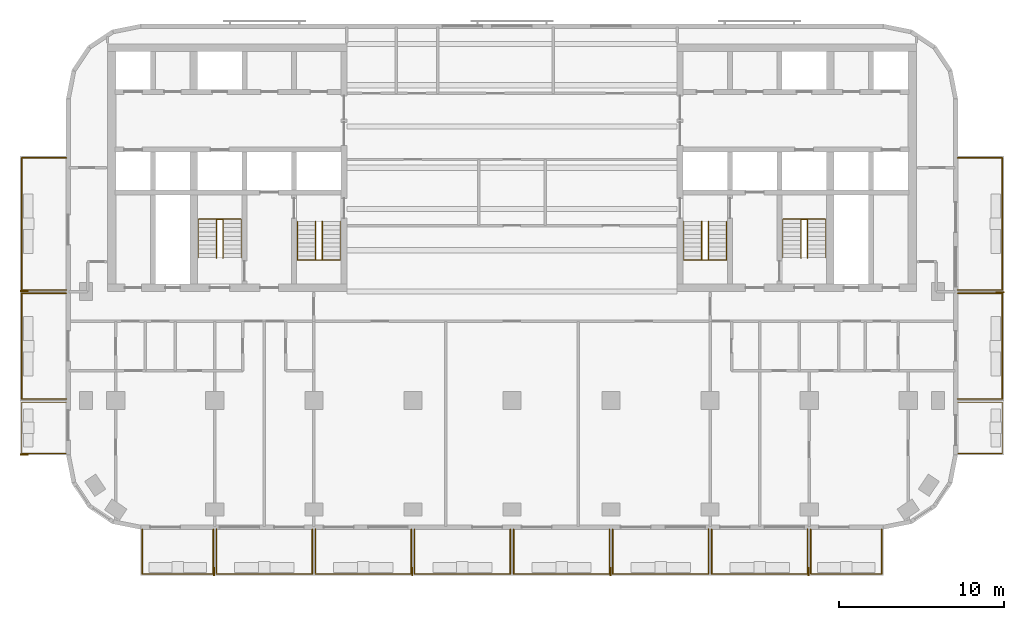
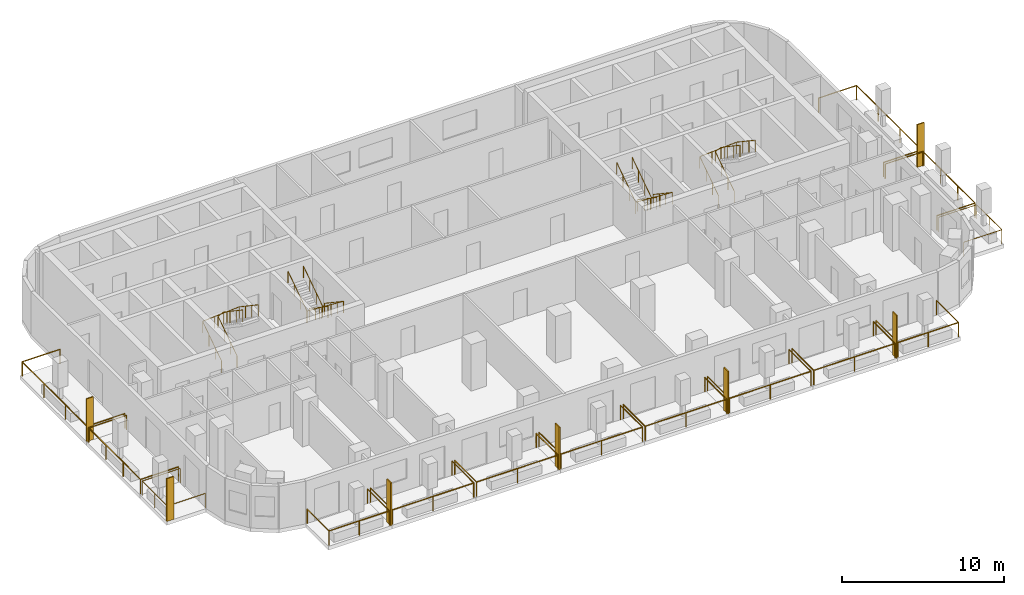
# One storey, part 9 of 11: 22 railings, 7 shading devices.
"""IFC4 building model written with IfcOpenShell, lengths in metres."""

from ifc_helpers import new_model, si_unit, direction, frame, origin, origin_2d, place, context, subcontext, project, spatial, rectangle, circle, extrude, material, layer, layer_set, type_object, element, save


model = new_model("IFC4")

# Units and contexts
model_context = context("Model", 3, precision=1e-05, world=origin(), true_north=direction((0.0, 1.0)))
body_context = subcontext(model_context, "Body", "Model", "MODEL_VIEW")
ifc_project = project(units=[si_unit("LENGTHUNIT", "METRE"), si_unit("AREAUNIT", "SQUARE_METRE"), si_unit("VOLUMEUNIT", "CUBIC_METRE"), si_unit("PLANEANGLEUNIT", "RADIAN"), si_unit("MASSUNIT", "GRAM", prefix="KILO")], contexts=[model_context])

# Site, building, storey
site_placement = place(None, origin())
site = spatial("IfcSite", under=ifc_project, at=site_placement, CompositionType="ELEMENT")
building_placement = place(site_placement, origin())
building = spatial("IfcBuilding", under=site, at=building_placement, Name="Torana Hotel and Residences", CompositionType="ELEMENT")
storey_placement = place(building_placement, frame((0.0, 0.0, 190.60009765625)))
storey = spatial("IfcBuildingStorey", under=building, at=storey_placement, Name="L49", CompositionType="ELEMENT", Elevation=190.60009765625)

# Shading devices
ifc_material_1 = material(Name="Black powder coated aluminium", Category="aluminium")
ifc_layer = layer(ifc_material_1, 0.080078125)
ifc_layer_set = layer_set([ifc_layer], Name="FN1 VERTICAL FIN 500x80")
shading_device_type = type_object("IfcShadingDeviceType", Name="FN1 VERTICAL FIN 500x80", PredefinedType="USERDEFINED", material=ifc_layer_set)
for number, where, z_axis, x_axis, name in (
    (1, (-18.0400390625, -31.949951171875, 0.0), (0.0, 0.0, 1.0), (-1.0, 0.0, 0.0), "Fin 01"),
    (2, (-6.0400390625, -31.949951171875, 0.0), (0.0, 0.0, 1.0), (-1.0, 0.0, 0.0), "Fin 03"),
    (3, (5.9599609375, -31.949951171875, 0.0), (0.0, 0.0, 1.0), (-1.0, 0.0, 0.0), "Fin 05"),
    (4, (17.9599609375, -31.949951171875, 0.0), (0.0, 0.0, 1.0), (-1.0, 0.0, 0.0), "Fin 07"),
    (5, (-29.550048828125, -24.860107421875, 0.0), (0.0, 0.0, 1.0), (0.0, 1.0, 0.0), "Fin 09"),
    (6, (-29.550048828125, -14.9599609375, 0.0), (0.0, 0.0, 1.0), (0.0, 1.0, 0.0), "Fin 11"),
    (7, (29.550048828125, -15.0400390625, 0.0), (0.0, 0.0, 1.0), (0.0, -1.0, 0.0), "Fin 13"),
):
    element("IfcShadingDevice", number, at=place(storey_placement, frame(where, z_axis=z_axis, x_axis=x_axis)), inside=storey, type_object=shading_device_type, Name=name, ObjectType="FIN", PredefinedType="USERDEFINED", context=body_context, shape_type="SweptSolid", body=[
        extrude(rectangle(XDim=0.080078125, YDim=0.5, at=origin_2d()), origin(), (0.0, 0.0, 1.0), 3.219970703125),
    ])

# Railings
ifc_material_2 = material(Name="Laminated glass balustrade with black handrail", Category="glass")
railing_type_1 = type_object("IfcRailingType", Name="GR1 BALCONY GUARD 1100 GLASS", PredefinedType="GUARDRAIL", material=ifc_material_2)
railing_1_placement = place(storey_placement, frame((-18.10009765625, -29.39990234375, 0.0)))
element("IfcRailing", 8, at=railing_1_placement, inside=storey, type_object=railing_type_1, Name="Balcony guard 01", PredefinedType="GUARDRAIL", context=body_context, shape_type="SweptSolid", body=[
    extrude(circle(Radius=0.02392578125, at=origin_2d()), frame((0.0, 0.0, 1.076171875), z_axis=(0.0, -1.0, 0.0), x_axis=(1.0, 0.0, 0.0)), (0.0, 0.0, 1.0), 2.7001953125),
    extrude(circle(Radius=0.02392578125, at=origin_2d()), frame((0.0, -2.7001953125, 1.076171875), z_axis=(-1.0, 0.0, 0.0), x_axis=(0.0, -1.0, 0.0)), (0.0, 0.0, 1.0), 4.2998046875),
    extrude(circle(Radius=0.02392578125, at=origin_2d()), frame((-4.2998046875, -2.7001953125, 1.076171875), z_axis=(0.0, 1.0, 0.0), x_axis=(-1.0, 0.0, 0.0)), (0.0, 0.0, 1.0), 2.7001953125),
    extrude(circle(Radius=0.02099609375, at=origin_2d()), origin(), (0.0, 0.0, 1.0), 1.052001953125),
    extrude(circle(Radius=0.02099609375, at=origin_2d()), frame((0.0, -2.7001953125, 0.0)), (0.0, 0.0, 1.0), 1.052001953125),
    extrude(circle(Radius=0.02099609375, at=origin_2d()), frame((-2.14990234375, -2.7001953125, 0.0)), (0.0, 0.0, 1.0), 1.052001953125),
    extrude(circle(Radius=0.02099609375, at=origin_2d()), frame((-4.2998046875, -2.7001953125, 0.0)), (0.0, 0.0, 1.0), 1.052001953125),
    extrude(circle(Radius=0.02099609375, at=origin_2d()), frame((-4.2998046875, 0.0, 0.0)), (0.0, 0.0, 1.0), 1.052001953125),
])
for number, where, name in (
    (9, (-12.10009765625, -29.39990234375, 0.0), "Balcony guard 02"),
    (10, (-6.10009765625, -29.39990234375, 0.0), "Balcony guard 03"),
    (11, (-0.10009765625, -29.39990234375, 0.0), "Balcony guard 04"),
    (12, (5.89990234375, -29.39990234375, 0.0), "Balcony guard 05"),
    (13, (11.89990234375, -29.39990234375, 0.0), "Balcony guard 06"),
    (14, (17.89990234375, -29.39990234375, 0.0), "Balcony guard 07"),
):
    element("IfcRailing", number, at=place(storey_placement, frame(where)), inside=storey, type_object=railing_type_1, Name=name, PredefinedType="GUARDRAIL", context=body_context, shape_type="SweptSolid", body=[
        extrude(circle(Radius=0.02392578125, at=origin_2d()), frame((0.0, 0.0, 1.076171875), z_axis=(0.0, -1.0, 0.0), x_axis=(1.0, 0.0, 0.0)), (0.0, 0.0, 1.0), 2.7001953125),
        extrude(circle(Radius=0.02392578125, at=origin_2d()), frame((0.0, -2.7001953125, 1.076171875), z_axis=(-1.0, 0.0, 0.0), x_axis=(0.0, -1.0, 0.0)), (0.0, 0.0, 1.0), 5.7998046875),
        extrude(circle(Radius=0.02392578125, at=origin_2d()), frame((-5.7998046875, -2.7001953125, 1.076171875), z_axis=(0.0, 1.0, 0.0), x_axis=(-1.0, 0.0, 0.0)), (0.0, 0.0, 1.0), 2.7001953125),
        extrude(circle(Radius=0.02099609375, at=origin_2d()), origin(), (0.0, 0.0, 1.0), 1.052001953125),
        extrude(circle(Radius=0.02099609375, at=origin_2d()), frame((0.0, -2.7001953125, 0.0)), (0.0, 0.0, 1.0), 1.052001953125),
        extrude(circle(Radius=0.02099609375, at=origin_2d()), frame((-2.89990234375, -2.7001953125, 0.0)), (0.0, 0.0, 1.0), 1.052001953125),
        extrude(circle(Radius=0.02099609375, at=origin_2d()), frame((-5.7998046875, -2.7001953125, 0.0)), (0.0, 0.0, 1.0), 1.052001953125),
        extrude(circle(Radius=0.02099609375, at=origin_2d()), frame((-5.7998046875, 0.0, 0.0)), (0.0, 0.0, 1.0), 1.052001953125),
    ])
railing_2_placement = place(storey_placement, frame((22.39990234375, -29.39990234375, 0.0)))
element("IfcRailing", 15, at=railing_2_placement, inside=storey, type_object=railing_type_1, Name="Balcony guard 08", PredefinedType="GUARDRAIL", context=body_context, shape_type="SweptSolid", body=[
    extrude(circle(Radius=0.02392578125, at=origin_2d()), frame((0.0, 0.0, 1.076171875), z_axis=(0.0, -1.0, 0.0), x_axis=(1.0, 0.0, 0.0)), (0.0, 0.0, 1.0), 2.7001953125),
    extrude(circle(Radius=0.02392578125, at=origin_2d()), frame((0.0, -2.7001953125, 1.076171875), z_axis=(-1.0, 0.0, 0.0), x_axis=(0.0, -1.0, 0.0)), (0.0, 0.0, 1.0), 4.2998046875),
    extrude(circle(Radius=0.02392578125, at=origin_2d()), frame((-4.2998046875, -2.7001953125, 1.076171875), z_axis=(0.0, 1.0, 0.0), x_axis=(-1.0, 0.0, 0.0)), (0.0, 0.0, 1.0), 2.7001953125),
    extrude(circle(Radius=0.02099609375, at=origin_2d()), origin(), (0.0, 0.0, 1.0), 1.052001953125),
    extrude(circle(Radius=0.02099609375, at=origin_2d()), frame((0.0, -2.7001953125, 0.0)), (0.0, 0.0, 1.0), 1.052001953125),
    extrude(circle(Radius=0.02099609375, at=origin_2d()), frame((-2.14990234375, -2.7001953125, 0.0)), (0.0, 0.0, 1.0), 1.052001953125),
    extrude(circle(Radius=0.02099609375, at=origin_2d()), frame((-4.2998046875, -2.7001953125, 0.0)), (0.0, 0.0, 1.0), 1.052001953125),
    extrude(circle(Radius=0.02099609375, at=origin_2d()), frame((-4.2998046875, 0.0, 0.0)), (0.0, 0.0, 1.0), 1.052001953125),
])
railing_3_placement = place(storey_placement, frame((-27.0, -24.800048828125, 0.0)))
element("IfcRailing", 16, at=railing_3_placement, inside=storey, type_object=railing_type_1, Name="Balcony guard 09", PredefinedType="GUARDRAIL", context=body_context, shape_type="SweptSolid", body=[
    extrude(circle(Radius=0.02392578125, at=origin_2d()), frame((0.0, 0.0, 1.076171875), z_axis=(-1.0, 0.0, 0.0), x_axis=(0.0, -1.0, 0.0)), (0.0, 0.0, 1.0), 2.699951171875),
    extrude(circle(Radius=0.02392578125, at=origin_2d()), frame((-2.699951171875, 0.0, 1.076171875), z_axis=(0.0, 1.0, 0.0), x_axis=(-1.0, 0.0, 0.0)), (0.0, 0.0, 1.0), 3.10009765625),
    extrude(circle(Radius=0.02392578125, at=origin_2d()), frame((-2.699951171875, 3.10009765625, 1.076171875), z_axis=(1.0, 0.0, 0.0), x_axis=(0.0, 1.0, 0.0)), (0.0, 0.0, 1.0), 2.699951171875),
    extrude(circle(Radius=0.02099609375, at=origin_2d()), origin(), (0.0, 0.0, 1.0), 1.052001953125),
    extrude(circle(Radius=0.02099609375, at=origin_2d()), frame((-2.699951171875, 0.0, 0.0)), (0.0, 0.0, 1.0), 1.052001953125),
    extrude(circle(Radius=0.02099609375, at=origin_2d()), frame((-2.699951171875, 1.550048828125, 0.0)), (0.0, 0.0, 1.0), 1.052001953125),
    extrude(circle(Radius=0.02099609375, at=origin_2d()), frame((-2.699951171875, 3.10009765625, 0.0)), (0.0, 0.0, 1.0), 1.052001953125),
    extrude(circle(Radius=0.02099609375, at=origin_2d()), frame((0.0, 3.10009765625, 0.0)), (0.0, 0.0, 1.0), 1.052001953125),
])
railing_4_placement = place(storey_placement, frame((-27.0, -21.5, 0.0)))
element("IfcRailing", 17, at=railing_4_placement, inside=storey, type_object=railing_type_1, Name="Balcony guard 10", PredefinedType="GUARDRAIL", context=body_context, shape_type="SweptSolid", body=[
    extrude(circle(Radius=0.02392578125, at=origin_2d()), frame((0.0, 0.0, 1.076171875), z_axis=(-1.0, 0.0, 0.0), x_axis=(0.0, -1.0, 0.0)), (0.0, 0.0, 1.0), 2.699951171875),
    extrude(circle(Radius=0.02392578125, at=origin_2d()), frame((-2.699951171875, 0.0, 1.076171875), z_axis=(0.0, 1.0, 0.0), x_axis=(-1.0, 0.0, 0.0)), (0.0, 0.0, 1.0), 6.39990234375),
    extrude(circle(Radius=0.02392578125, at=origin_2d()), frame((-2.699951171875, 6.39990234375, 1.076171875), z_axis=(1.0, 0.0, 0.0), x_axis=(0.0, 1.0, 0.0)), (0.0, 0.0, 1.0), 2.699951171875),
    extrude(circle(Radius=0.02099609375, at=origin_2d()), origin(), (0.0, 0.0, 1.0), 1.052001953125),
    extrude(circle(Radius=0.02099609375, at=origin_2d()), frame((-2.699951171875, 0.0, 0.0)), (0.0, 0.0, 1.0), 1.052001953125),
    extrude(circle(Radius=0.02099609375, at=origin_2d()), frame((-2.699951171875, 2.13330078125, 0.0)), (0.0, 0.0, 1.0), 1.052001953125),
    extrude(circle(Radius=0.02099609375, at=origin_2d()), frame((-2.699951171875, 4.2666015625, 0.0)), (0.0, 0.0, 1.0), 1.052001953125),
    extrude(circle(Radius=0.02099609375, at=origin_2d()), frame((-2.699951171875, 6.39990234375, 0.0)), (0.0, 0.0, 1.0), 1.052001953125),
    extrude(circle(Radius=0.02099609375, at=origin_2d()), frame((0.0, 6.39990234375, 0.0)), (0.0, 0.0, 1.0), 1.052001953125),
])
railing_5_placement = place(storey_placement, frame((-27.0, -14.89990234375, 0.0)))
element("IfcRailing", 18, at=railing_5_placement, inside=storey, type_object=railing_type_1, Name="Balcony guard 11", PredefinedType="GUARDRAIL", context=body_context, shape_type="SweptSolid", body=[
    extrude(circle(Radius=0.02392578125, at=origin_2d()), frame((0.0, 0.0, 1.076171875), z_axis=(-1.0, 0.0, 0.0), x_axis=(0.0, -1.0, 0.0)), (0.0, 0.0, 1.0), 2.699951171875),
    extrude(circle(Radius=0.02392578125, at=origin_2d()), frame((-2.699951171875, 0.0, 1.076171875), z_axis=(0.0, 1.0, 0.0), x_axis=(-1.0, 0.0, 0.0)), (0.0, 0.0, 1.0), 8.0),
    extrude(circle(Radius=0.02392578125, at=origin_2d()), frame((-2.699951171875, 8.0, 1.076171875), z_axis=(1.0, 0.0, 0.0), x_axis=(0.0, 1.0, 0.0)), (0.0, 0.0, 1.0), 2.699951171875),
    extrude(circle(Radius=0.02099609375, at=origin_2d()), origin(), (0.0, 0.0, 1.0), 1.052001953125),
    extrude(circle(Radius=0.02099609375, at=origin_2d()), frame((-2.699951171875, 0.0, 0.0)), (0.0, 0.0, 1.0), 1.052001953125),
    extrude(circle(Radius=0.02099609375, at=origin_2d()), frame((-2.699951171875, 2.666748046875, 0.0)), (0.0, 0.0, 1.0), 1.052001953125),
    extrude(circle(Radius=0.02099609375, at=origin_2d()), frame((-2.699951171875, 5.333251953125, 0.0)), (0.0, 0.0, 1.0), 1.052001953125),
    extrude(circle(Radius=0.02099609375, at=origin_2d()), frame((-2.699951171875, 8.0, 0.0)), (0.0, 0.0, 1.0), 1.052001953125),
    extrude(circle(Radius=0.02099609375, at=origin_2d()), frame((0.0, 8.0, 0.0)), (0.0, 0.0, 1.0), 1.052001953125),
])
railing_6_placement = place(storey_placement, frame((27.0, -21.699951171875, 0.0)))
element("IfcRailing", 19, at=railing_6_placement, inside=storey, type_object=railing_type_1, Name="Balcony guard 12", PredefinedType="GUARDRAIL", context=body_context, shape_type="SweptSolid", body=[
    extrude(circle(Radius=0.02392578125, at=origin_2d()), frame((0.0, 0.0, 1.076171875), z_axis=(1.0, 0.0, 0.0), x_axis=(0.0, 1.0, 0.0)), (0.0, 0.0, 1.0), 2.699951171875),
    extrude(circle(Radius=0.02392578125, at=origin_2d()), frame((2.699951171875, 0.0, 1.076171875), z_axis=(0.0, -1.0, 0.0), x_axis=(1.0, 0.0, 0.0)), (0.0, 0.0, 1.0), 3.10009765625),
    extrude(circle(Radius=0.02392578125, at=origin_2d()), frame((2.699951171875, -3.10009765625, 1.076171875), z_axis=(-1.0, 0.0, 0.0), x_axis=(0.0, -1.0, 0.0)), (0.0, 0.0, 1.0), 2.699951171875),
    extrude(circle(Radius=0.02099609375, at=origin_2d()), origin(), (0.0, 0.0, 1.0), 1.052001953125),
    extrude(circle(Radius=0.02099609375, at=origin_2d()), frame((2.699951171875, 0.0, 0.0)), (0.0, 0.0, 1.0), 1.052001953125),
    extrude(circle(Radius=0.02099609375, at=origin_2d()), frame((2.699951171875, -1.550048828125, 0.0)), (0.0, 0.0, 1.0), 1.052001953125),
    extrude(circle(Radius=0.02099609375, at=origin_2d()), frame((2.699951171875, -3.10009765625, 0.0)), (0.0, 0.0, 1.0), 1.052001953125),
    extrude(circle(Radius=0.02099609375, at=origin_2d()), frame((0.0, -3.10009765625, 0.0)), (0.0, 0.0, 1.0), 1.052001953125),
])
railing_7_placement = place(storey_placement, frame((27.0, -15.10009765625, 0.0)))
element("IfcRailing", 20, at=railing_7_placement, inside=storey, type_object=railing_type_1, Name="Balcony guard 13", PredefinedType="GUARDRAIL", context=body_context, shape_type="SweptSolid", body=[
    extrude(circle(Radius=0.02392578125, at=origin_2d()), frame((0.0, 0.0, 1.076171875), z_axis=(1.0, 0.0, 0.0), x_axis=(0.0, 1.0, 0.0)), (0.0, 0.0, 1.0), 2.699951171875),
    extrude(circle(Radius=0.02392578125, at=origin_2d()), frame((2.699951171875, 0.0, 1.076171875), z_axis=(0.0, -1.0, 0.0), x_axis=(1.0, 0.0, 0.0)), (0.0, 0.0, 1.0), 6.39990234375),
    extrude(circle(Radius=0.02392578125, at=origin_2d()), frame((2.699951171875, -6.39990234375, 1.076171875), z_axis=(-1.0, 0.0, 0.0), x_axis=(0.0, -1.0, 0.0)), (0.0, 0.0, 1.0), 2.699951171875),
    extrude(circle(Radius=0.02099609375, at=origin_2d()), origin(), (0.0, 0.0, 1.0), 1.052001953125),
    extrude(circle(Radius=0.02099609375, at=origin_2d()), frame((2.699951171875, 0.0, 0.0)), (0.0, 0.0, 1.0), 1.052001953125),
    extrude(circle(Radius=0.02099609375, at=origin_2d()), frame((2.699951171875, -2.13330078125, 0.0)), (0.0, 0.0, 1.0), 1.052001953125),
    extrude(circle(Radius=0.02099609375, at=origin_2d()), frame((2.699951171875, -4.2666015625, 0.0)), (0.0, 0.0, 1.0), 1.052001953125),
    extrude(circle(Radius=0.02099609375, at=origin_2d()), frame((2.699951171875, -6.39990234375, 0.0)), (0.0, 0.0, 1.0), 1.052001953125),
    extrude(circle(Radius=0.02099609375, at=origin_2d()), frame((0.0, -6.39990234375, 0.0)), (0.0, 0.0, 1.0), 1.052001953125),
])
railing_8_placement = place(storey_placement, frame((27.0, -6.89990234375, 0.0)))
element("IfcRailing", 21, at=railing_8_placement, inside=storey, type_object=railing_type_1, Name="Balcony guard 14", PredefinedType="GUARDRAIL", context=body_context, shape_type="SweptSolid", body=[
    extrude(circle(Radius=0.02392578125, at=origin_2d()), frame((0.0, 0.0, 1.076171875), z_axis=(1.0, 0.0, 0.0), x_axis=(0.0, 1.0, 0.0)), (0.0, 0.0, 1.0), 2.699951171875),
    extrude(circle(Radius=0.02392578125, at=origin_2d()), frame((2.699951171875, 0.0, 1.076171875), z_axis=(0.0, -1.0, 0.0), x_axis=(1.0, 0.0, 0.0)), (0.0, 0.0, 1.0), 8.0),
    extrude(circle(Radius=0.02392578125, at=origin_2d()), frame((2.699951171875, -8.0, 1.076171875), z_axis=(-1.0, 0.0, 0.0), x_axis=(0.0, -1.0, 0.0)), (0.0, 0.0, 1.0), 2.699951171875),
    extrude(circle(Radius=0.02099609375, at=origin_2d()), origin(), (0.0, 0.0, 1.0), 1.052001953125),
    extrude(circle(Radius=0.02099609375, at=origin_2d()), frame((2.699951171875, 0.0, 0.0)), (0.0, 0.0, 1.0), 1.052001953125),
    extrude(circle(Radius=0.02099609375, at=origin_2d()), frame((2.699951171875, -2.666748046875, 0.0)), (0.0, 0.0, 1.0), 1.052001953125),
    extrude(circle(Radius=0.02099609375, at=origin_2d()), frame((2.699951171875, -5.333251953125, 0.0)), (0.0, 0.0, 1.0), 1.052001953125),
    extrude(circle(Radius=0.02099609375, at=origin_2d()), frame((2.699951171875, -8.0, 0.0)), (0.0, 0.0, 1.0), 1.052001953125),
    extrude(circle(Radius=0.02099609375, at=origin_2d()), frame((0.0, -8.0, 0.0)), (0.0, 0.0, 1.0), 1.052001953125),
])
ifc_material_3 = material(Name="Stainless steel 316", Category="steel")
railing_type_2 = type_object("IfcRailingType", Name="STAIR HANDRAIL HR1 900", PredefinedType="HANDRAIL", material=ifc_material_3)
railing_9_placement = place(storey_placement, frame((-10.39990234375, -10.75, 0.1748046875)))
element("IfcRailing", 22, at=railing_9_placement, inside=storey, type_object=railing_type_2, Name="Handrail ST1 L49 O1", PredefinedType="HANDRAIL", context=body_context, shape_type="SweptSolid", body=[
    extrude(circle(Radius=0.02392578125, at=origin_2d()), frame((0.0, 0.0, 0.8759765625), z_axis=(0.0, -0.829565388462, 0.558409586474), x_axis=(1.0, 0.0, 0.0)), (0.0, 0.0, 1.0), 2.82080078125),
    extrude(circle(Radius=0.02392578125, at=origin_2d()), frame((0.0, -2.340087890625, 2.451171875), z_axis=(-0.997747692642, 0.0, 0.067078624219), x_axis=(0.0, -1.0, 0.0)), (0.0, 0.0, 1.0), 2.60595703125),
    extrude(circle(Radius=0.02392578125, at=origin_2d()), frame((-2.60009765625, -2.340087890625, 2.6259765625), z_axis=(0.0, 0.829565388462, 0.558409586474), x_axis=(-1.0, 0.0, 0.0)), (0.0, 0.0, 1.0), 2.82080078125),
    extrude(circle(Radius=0.02099609375, at=origin_2d()), origin(), (0.0, 0.0, 1.0), 0.851806640625),
    extrude(circle(Radius=0.02099609375, at=origin_2d()), frame((0.0, -0.780029296875, 0.525146484375)), (0.0, 0.0, 1.0), 0.851806640625),
    extrude(circle(Radius=0.02099609375, at=origin_2d()), frame((0.0, -1.56005859375, 1.050048828125)), (0.0, 0.0, 1.0), 0.851806640625),
    extrude(circle(Radius=0.02099609375, at=origin_2d()), frame((0.0, -2.340087890625, 1.5751953125)), (0.0, 0.0, 1.0), 0.851806640625),
    extrude(circle(Radius=0.02099609375, at=origin_2d()), frame((-0.86669921875, -2.340087890625, 1.633544921875)), (0.0, 0.0, 1.0), 0.851806640625),
    extrude(circle(Radius=0.02099609375, at=origin_2d()), frame((-1.7333984375, -2.340087890625, 1.691650390625)), (0.0, 0.0, 1.0), 0.851806640625),
    extrude(circle(Radius=0.02099609375, at=origin_2d()), frame((-2.60009765625, -2.340087890625, 1.75)), (0.0, 0.0, 1.0), 0.851806640625),
    extrude(circle(Radius=0.02099609375, at=origin_2d()), frame((-2.60009765625, -1.56005859375, 2.275146484375)), (0.0, 0.0, 1.0), 0.851806640625),
    extrude(circle(Radius=0.02099609375, at=origin_2d()), frame((-2.60009765625, -0.780029296875, 2.800048828125)), (0.0, 0.0, 1.0), 0.851806640625),
    extrude(circle(Radius=0.02099609375, at=origin_2d()), frame((-2.60009765625, 0.0, 3.3251953125)), (0.0, 0.0, 1.0), 0.851806640625),
])
railing_10_placement = place(storey_placement, frame((-11.5, -10.75, 0.1748046875)))
element("IfcRailing", 23, at=railing_10_placement, inside=storey, type_object=railing_type_2, Name="Handrail ST1 L49 I1", PredefinedType="HANDRAIL", context=body_context, shape_type="SweptSolid", body=[
    extrude(circle(Radius=0.02392578125, at=origin_2d()), frame((0.0, 0.0, 0.8759765625), z_axis=(0.0, -0.829565388462, 0.558409586474), x_axis=(1.0, 0.0, 0.0)), (0.0, 0.0, 1.0), 2.82080078125),
    extrude(circle(Radius=0.02392578125, at=origin_2d()), frame((0.0, -2.340087890625, 2.451171875), z_axis=(-0.916285673175, 0.0, 0.400525361412), x_axis=(0.0, -1.0, 0.0)), (0.0, 0.0, 1.0), 0.4365234375),
    extrude(circle(Radius=0.02392578125, at=origin_2d()), frame((-0.39990234375, -2.340087890625, 2.6259765625), z_axis=(0.0, 0.829565388462, 0.558409586474), x_axis=(-1.0, 0.0, 0.0)), (0.0, 0.0, 1.0), 2.82080078125),
    extrude(circle(Radius=0.02099609375, at=origin_2d()), origin(), (0.0, 0.0, 1.0), 0.851806640625),
    extrude(circle(Radius=0.02099609375, at=origin_2d()), frame((0.0, -0.780029296875, 0.525146484375)), (0.0, 0.0, 1.0), 0.851806640625),
    extrude(circle(Radius=0.02099609375, at=origin_2d()), frame((0.0, -1.56005859375, 1.050048828125)), (0.0, 0.0, 1.0), 0.851806640625),
    extrude(circle(Radius=0.02099609375, at=origin_2d()), frame((0.0, -2.340087890625, 1.5751953125)), (0.0, 0.0, 1.0), 0.851806640625),
    extrude(circle(Radius=0.02099609375, at=origin_2d()), frame((-0.39990234375, -2.340087890625, 1.75)), (0.0, 0.0, 1.0), 0.851806640625),
    extrude(circle(Radius=0.02099609375, at=origin_2d()), frame((-0.39990234375, -1.56005859375, 2.275146484375)), (0.0, 0.0, 1.0), 0.851806640625),
    extrude(circle(Radius=0.02099609375, at=origin_2d()), frame((-0.39990234375, -0.780029296875, 2.800048828125)), (0.0, 0.0, 1.0), 0.851806640625),
    extrude(circle(Radius=0.02099609375, at=origin_2d()), frame((-0.39990234375, 0.0, 3.3251953125)), (0.0, 0.0, 1.0), 0.851806640625),
])
railing_11_placement = place(storey_placement, frame((-19.0, -12.949951171875, 0.1748046875)))
element("IfcRailing", 24, at=railing_11_placement, inside=storey, type_object=railing_type_2, Name="Handrail ST2 L49 O1", PredefinedType="HANDRAIL", context=body_context, shape_type="SweptSolid", body=[
    extrude(circle(Radius=0.02392578125, at=origin_2d()), frame((0.0, 0.0, 0.8759765625), z_axis=(0.0, 0.829538397957, 0.558449681095), x_axis=(-1.0, 0.0, 0.0)), (0.0, 0.0, 1.0), 2.820556640625),
    extrude(circle(Radius=0.02392578125, at=origin_2d()), frame((0.0, 2.33984375, 2.451171875), z_axis=(0.997747692642, 0.0, 0.067078624219), x_axis=(0.0, 1.0, 0.0)), (0.0, 0.0, 1.0), 2.60595703125),
    extrude(circle(Radius=0.02392578125, at=origin_2d()), frame((2.60009765625, 2.33984375, 2.6259765625), z_axis=(0.0, -0.829538397957, 0.558449681095), x_axis=(1.0, 0.0, 0.0)), (0.0, 0.0, 1.0), 2.820556640625),
    extrude(circle(Radius=0.02099609375, at=origin_2d()), origin(), (0.0, 0.0, 1.0), 0.851806640625),
    extrude(circle(Radius=0.02099609375, at=origin_2d()), frame((0.0, 0.780029296875, 0.525146484375)), (0.0, 0.0, 1.0), 0.851806640625),
    extrude(circle(Radius=0.02099609375, at=origin_2d()), frame((0.0, 1.559814453125, 1.050048828125)), (0.0, 0.0, 1.0), 0.851806640625),
    extrude(circle(Radius=0.02099609375, at=origin_2d()), frame((0.0, 2.33984375, 1.5751953125)), (0.0, 0.0, 1.0), 0.851806640625),
    extrude(circle(Radius=0.02099609375, at=origin_2d()), frame((0.86669921875, 2.33984375, 1.633544921875)), (0.0, 0.0, 1.0), 0.851806640625),
    extrude(circle(Radius=0.02099609375, at=origin_2d()), frame((1.7333984375, 2.33984375, 1.691650390625)), (0.0, 0.0, 1.0), 0.851806640625),
    extrude(circle(Radius=0.02099609375, at=origin_2d()), frame((2.60009765625, 2.33984375, 1.75)), (0.0, 0.0, 1.0), 0.851806640625),
    extrude(circle(Radius=0.02099609375, at=origin_2d()), frame((2.60009765625, 1.559814453125, 2.275146484375)), (0.0, 0.0, 1.0), 0.851806640625),
    extrude(circle(Radius=0.02099609375, at=origin_2d()), frame((2.60009765625, 0.780029296875, 2.800048828125)), (0.0, 0.0, 1.0), 0.851806640625),
    extrude(circle(Radius=0.02099609375, at=origin_2d()), frame((2.60009765625, 0.0, 3.3251953125)), (0.0, 0.0, 1.0), 0.851806640625),
])
railing_12_placement = place(storey_placement, frame((-17.89990234375, -12.949951171875, 0.1748046875)))
element("IfcRailing", 25, at=railing_12_placement, inside=storey, type_object=railing_type_2, Name="Handrail ST2 L49 I1", PredefinedType="HANDRAIL", context=body_context, shape_type="SweptSolid", body=[
    extrude(circle(Radius=0.02392578125, at=origin_2d()), frame((0.0, 0.0, 0.8759765625), z_axis=(0.0, 0.829538397957, 0.558449681095), x_axis=(-1.0, 0.0, 0.0)), (0.0, 0.0, 1.0), 2.820556640625),
    extrude(circle(Radius=0.02392578125, at=origin_2d()), frame((0.0, 2.33984375, 2.451171875), z_axis=(0.916285673175, 0.0, 0.400525361412), x_axis=(0.0, 1.0, 0.0)), (0.0, 0.0, 1.0), 0.4365234375),
    extrude(circle(Radius=0.02392578125, at=origin_2d()), frame((0.39990234375, 2.33984375, 2.6259765625), z_axis=(0.0, -0.829538397957, 0.558449681095), x_axis=(1.0, 0.0, 0.0)), (0.0, 0.0, 1.0), 2.820556640625),
    extrude(circle(Radius=0.02099609375, at=origin_2d()), origin(), (0.0, 0.0, 1.0), 0.851806640625),
    extrude(circle(Radius=0.02099609375, at=origin_2d()), frame((0.0, 0.780029296875, 0.525146484375)), (0.0, 0.0, 1.0), 0.851806640625),
    extrude(circle(Radius=0.02099609375, at=origin_2d()), frame((0.0, 1.559814453125, 1.050048828125)), (0.0, 0.0, 1.0), 0.851806640625),
    extrude(circle(Radius=0.02099609375, at=origin_2d()), frame((0.0, 2.33984375, 1.5751953125)), (0.0, 0.0, 1.0), 0.851806640625),
    extrude(circle(Radius=0.02099609375, at=origin_2d()), frame((0.39990234375, 2.33984375, 1.75)), (0.0, 0.0, 1.0), 0.851806640625),
    extrude(circle(Radius=0.02099609375, at=origin_2d()), frame((0.39990234375, 1.559814453125, 2.275146484375)), (0.0, 0.0, 1.0), 0.851806640625),
    extrude(circle(Radius=0.02099609375, at=origin_2d()), frame((0.39990234375, 0.780029296875, 2.800048828125)), (0.0, 0.0, 1.0), 0.851806640625),
    extrude(circle(Radius=0.02099609375, at=origin_2d()), frame((0.39990234375, 0.0, 3.3251953125)), (0.0, 0.0, 1.0), 0.851806640625),
])
railing_13_placement = place(storey_placement, frame((13.0, -10.75, 0.1748046875)))
element("IfcRailing", 26, at=railing_13_placement, inside=storey, type_object=railing_type_2, Name="Handrail ST3 L49 O1", PredefinedType="HANDRAIL", context=body_context, shape_type="SweptSolid", body=[
    extrude(circle(Radius=0.02392578125, at=origin_2d()), frame((0.0, 0.0, 0.8759765625), z_axis=(0.0, -0.829565388462, 0.558409586474), x_axis=(1.0, 0.0, 0.0)), (0.0, 0.0, 1.0), 2.82080078125),
    extrude(circle(Radius=0.02392578125, at=origin_2d()), frame((0.0, -2.340087890625, 2.451171875), z_axis=(-0.997747692642, 0.0, 0.067078624219), x_axis=(0.0, -1.0, 0.0)), (0.0, 0.0, 1.0), 2.60595703125),
    extrude(circle(Radius=0.02392578125, at=origin_2d()), frame((-2.60009765625, -2.340087890625, 2.6259765625), z_axis=(0.0, 0.829565388462, 0.558409586474), x_axis=(-1.0, 0.0, 0.0)), (0.0, 0.0, 1.0), 2.82080078125),
    extrude(circle(Radius=0.02099609375, at=origin_2d()), origin(), (0.0, 0.0, 1.0), 0.851806640625),
    extrude(circle(Radius=0.02099609375, at=origin_2d()), frame((0.0, -0.780029296875, 0.525146484375)), (0.0, 0.0, 1.0), 0.851806640625),
    extrude(circle(Radius=0.02099609375, at=origin_2d()), frame((0.0, -1.56005859375, 1.050048828125)), (0.0, 0.0, 1.0), 0.851806640625),
    extrude(circle(Radius=0.02099609375, at=origin_2d()), frame((0.0, -2.340087890625, 1.5751953125)), (0.0, 0.0, 1.0), 0.851806640625),
    extrude(circle(Radius=0.02099609375, at=origin_2d()), frame((-0.86669921875, -2.340087890625, 1.633544921875)), (0.0, 0.0, 1.0), 0.851806640625),
    extrude(circle(Radius=0.02099609375, at=origin_2d()), frame((-1.7333984375, -2.340087890625, 1.691650390625)), (0.0, 0.0, 1.0), 0.851806640625),
    extrude(circle(Radius=0.02099609375, at=origin_2d()), frame((-2.60009765625, -2.340087890625, 1.75)), (0.0, 0.0, 1.0), 0.851806640625),
    extrude(circle(Radius=0.02099609375, at=origin_2d()), frame((-2.60009765625, -1.56005859375, 2.275146484375)), (0.0, 0.0, 1.0), 0.851806640625),
    extrude(circle(Radius=0.02099609375, at=origin_2d()), frame((-2.60009765625, -0.780029296875, 2.800048828125)), (0.0, 0.0, 1.0), 0.851806640625),
    extrude(circle(Radius=0.02099609375, at=origin_2d()), frame((-2.60009765625, 0.0, 3.3251953125)), (0.0, 0.0, 1.0), 0.851806640625),
])
railing_14_placement = place(storey_placement, frame((11.89990234375, -10.75, 0.1748046875)))
element("IfcRailing", 27, at=railing_14_placement, inside=storey, type_object=railing_type_2, Name="Handrail ST3 L49 I1", PredefinedType="HANDRAIL", context=body_context, shape_type="SweptSolid", body=[
    extrude(circle(Radius=0.02392578125, at=origin_2d()), frame((0.0, 0.0, 0.8759765625), z_axis=(0.0, -0.829565388462, 0.558409586474), x_axis=(1.0, 0.0, 0.0)), (0.0, 0.0, 1.0), 2.82080078125),
    extrude(circle(Radius=0.02392578125, at=origin_2d()), frame((0.0, -2.340087890625, 2.451171875), z_axis=(-0.916285673175, 0.0, 0.400525361412), x_axis=(0.0, -1.0, 0.0)), (0.0, 0.0, 1.0), 0.4365234375),
    extrude(circle(Radius=0.02392578125, at=origin_2d()), frame((-0.39990234375, -2.340087890625, 2.6259765625), z_axis=(0.0, 0.829565388462, 0.558409586474), x_axis=(-1.0, 0.0, 0.0)), (0.0, 0.0, 1.0), 2.82080078125),
    extrude(circle(Radius=0.02099609375, at=origin_2d()), origin(), (0.0, 0.0, 1.0), 0.851806640625),
    extrude(circle(Radius=0.02099609375, at=origin_2d()), frame((0.0, -0.780029296875, 0.525146484375)), (0.0, 0.0, 1.0), 0.851806640625),
    extrude(circle(Radius=0.02099609375, at=origin_2d()), frame((0.0, -1.56005859375, 1.050048828125)), (0.0, 0.0, 1.0), 0.851806640625),
    extrude(circle(Radius=0.02099609375, at=origin_2d()), frame((0.0, -2.340087890625, 1.5751953125)), (0.0, 0.0, 1.0), 0.851806640625),
    extrude(circle(Radius=0.02099609375, at=origin_2d()), frame((-0.39990234375, -2.340087890625, 1.75)), (0.0, 0.0, 1.0), 0.851806640625),
    extrude(circle(Radius=0.02099609375, at=origin_2d()), frame((-0.39990234375, -1.56005859375, 2.275146484375)), (0.0, 0.0, 1.0), 0.851806640625),
    extrude(circle(Radius=0.02099609375, at=origin_2d()), frame((-0.39990234375, -0.780029296875, 2.800048828125)), (0.0, 0.0, 1.0), 0.851806640625),
    extrude(circle(Radius=0.02099609375, at=origin_2d()), frame((-0.39990234375, 0.0, 3.3251953125)), (0.0, 0.0, 1.0), 0.851806640625),
])
railing_15_placement = place(storey_placement, frame((16.39990234375, -12.949951171875, 0.1748046875)))
element("IfcRailing", 28, at=railing_15_placement, inside=storey, type_object=railing_type_2, Name="Handrail ST4 L49 O1", PredefinedType="HANDRAIL", context=body_context, shape_type="SweptSolid", body=[
    extrude(circle(Radius=0.02392578125, at=origin_2d()), frame((0.0, 0.0, 0.8759765625), z_axis=(0.0, 0.829538397957, 0.558449681095), x_axis=(-1.0, 0.0, 0.0)), (0.0, 0.0, 1.0), 2.820556640625),
    extrude(circle(Radius=0.02392578125, at=origin_2d()), frame((0.0, 2.33984375, 2.451171875), z_axis=(0.997747692642, 0.0, 0.067078624219), x_axis=(0.0, 1.0, 0.0)), (0.0, 0.0, 1.0), 2.60595703125),
    extrude(circle(Radius=0.02392578125, at=origin_2d()), frame((2.60009765625, 2.33984375, 2.6259765625), z_axis=(0.0, -0.829538397957, 0.558449681095), x_axis=(1.0, 0.0, 0.0)), (0.0, 0.0, 1.0), 2.820556640625),
    extrude(circle(Radius=0.02099609375, at=origin_2d()), origin(), (0.0, 0.0, 1.0), 0.851806640625),
    extrude(circle(Radius=0.02099609375, at=origin_2d()), frame((0.0, 0.780029296875, 0.525146484375)), (0.0, 0.0, 1.0), 0.851806640625),
    extrude(circle(Radius=0.02099609375, at=origin_2d()), frame((0.0, 1.559814453125, 1.050048828125)), (0.0, 0.0, 1.0), 0.851806640625),
    extrude(circle(Radius=0.02099609375, at=origin_2d()), frame((0.0, 2.33984375, 1.5751953125)), (0.0, 0.0, 1.0), 0.851806640625),
    extrude(circle(Radius=0.02099609375, at=origin_2d()), frame((0.86669921875, 2.33984375, 1.633544921875)), (0.0, 0.0, 1.0), 0.851806640625),
    extrude(circle(Radius=0.02099609375, at=origin_2d()), frame((1.7333984375, 2.33984375, 1.691650390625)), (0.0, 0.0, 1.0), 0.851806640625),
    extrude(circle(Radius=0.02099609375, at=origin_2d()), frame((2.60009765625, 2.33984375, 1.75)), (0.0, 0.0, 1.0), 0.851806640625),
    extrude(circle(Radius=0.02099609375, at=origin_2d()), frame((2.60009765625, 1.559814453125, 2.275146484375)), (0.0, 0.0, 1.0), 0.851806640625),
    extrude(circle(Radius=0.02099609375, at=origin_2d()), frame((2.60009765625, 0.780029296875, 2.800048828125)), (0.0, 0.0, 1.0), 0.851806640625),
    extrude(circle(Radius=0.02099609375, at=origin_2d()), frame((2.60009765625, 0.0, 3.3251953125)), (0.0, 0.0, 1.0), 0.851806640625),
])
railing_16_placement = place(storey_placement, frame((17.5, -12.949951171875, 0.1748046875)))
element("IfcRailing", 29, at=railing_16_placement, inside=storey, type_object=railing_type_2, Name="Handrail ST4 L49 I1", PredefinedType="HANDRAIL", context=body_context, shape_type="SweptSolid", body=[
    extrude(circle(Radius=0.02392578125, at=origin_2d()), frame((0.0, 0.0, 0.8759765625), z_axis=(0.0, 0.829538397957, 0.558449681095), x_axis=(-1.0, 0.0, 0.0)), (0.0, 0.0, 1.0), 2.820556640625),
    extrude(circle(Radius=0.02392578125, at=origin_2d()), frame((0.0, 2.33984375, 2.451171875), z_axis=(0.916285673175, 0.0, 0.400525361412), x_axis=(0.0, 1.0, 0.0)), (0.0, 0.0, 1.0), 0.4365234375),
    extrude(circle(Radius=0.02392578125, at=origin_2d()), frame((0.39990234375, 2.33984375, 2.6259765625), z_axis=(0.0, -0.829538397957, 0.558449681095), x_axis=(1.0, 0.0, 0.0)), (0.0, 0.0, 1.0), 2.820556640625),
    extrude(circle(Radius=0.02099609375, at=origin_2d()), origin(), (0.0, 0.0, 1.0), 0.851806640625),
    extrude(circle(Radius=0.02099609375, at=origin_2d()), frame((0.0, 0.780029296875, 0.525146484375)), (0.0, 0.0, 1.0), 0.851806640625),
    extrude(circle(Radius=0.02099609375, at=origin_2d()), frame((0.0, 1.559814453125, 1.050048828125)), (0.0, 0.0, 1.0), 0.851806640625),
    extrude(circle(Radius=0.02099609375, at=origin_2d()), frame((0.0, 2.33984375, 1.5751953125)), (0.0, 0.0, 1.0), 0.851806640625),
    extrude(circle(Radius=0.02099609375, at=origin_2d()), frame((0.39990234375, 2.33984375, 1.75)), (0.0, 0.0, 1.0), 0.851806640625),
    extrude(circle(Radius=0.02099609375, at=origin_2d()), frame((0.39990234375, 1.559814453125, 2.275146484375)), (0.0, 0.0, 1.0), 0.851806640625),
    extrude(circle(Radius=0.02099609375, at=origin_2d()), frame((0.39990234375, 0.780029296875, 2.800048828125)), (0.0, 0.0, 1.0), 0.851806640625),
    extrude(circle(Radius=0.02099609375, at=origin_2d()), frame((0.39990234375, 0.0, 3.3251953125)), (0.0, 0.0, 1.0), 0.851806640625),
])

save(model, "model.ifc")
